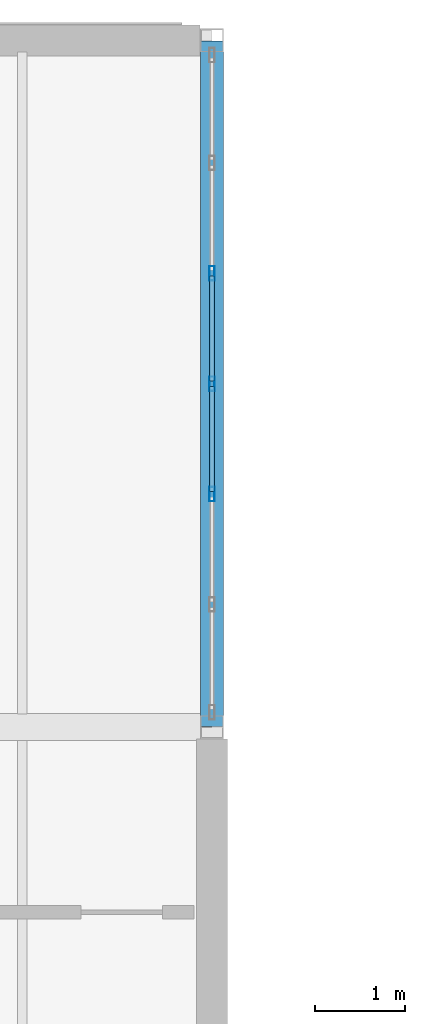
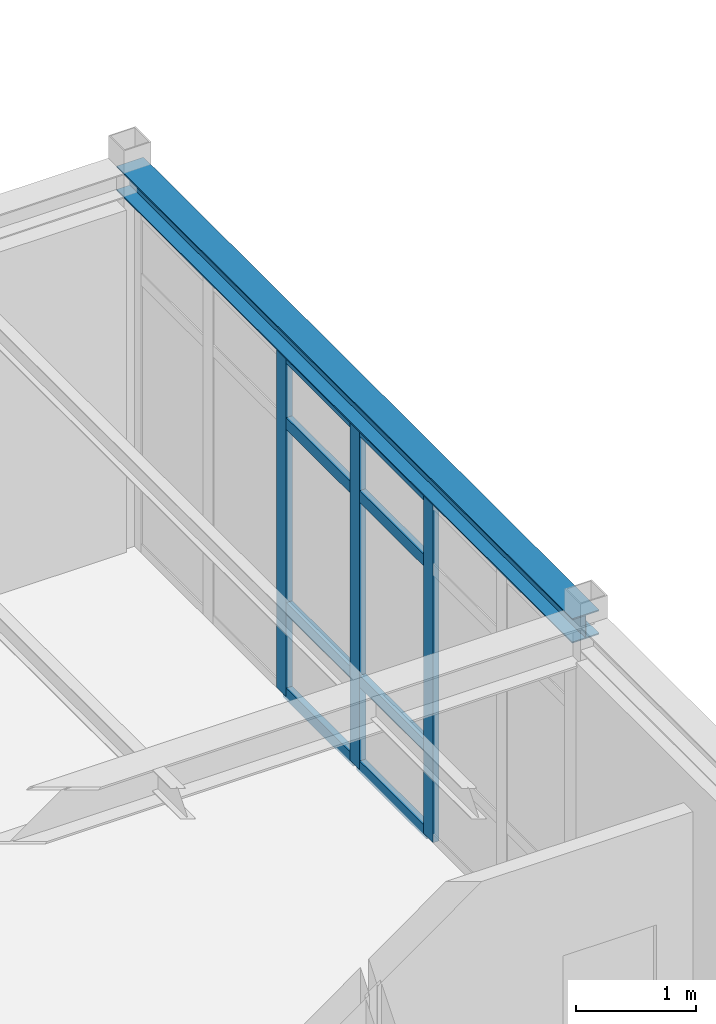
# One storey, part 106 of 189: 11 members, 1 beam, 1 element without a shape of its own.
"""IFC4 building model written with IfcOpenShell, lengths in metres."""

import ifcopenshell
import ifcopenshell.guid

model = None  # the IFC model being written
_history = None  # IfcOwnerHistory: only IFC2X3 demands one
_inside = {}  # id of a spatial element -> (the spatial element, [elements in it])
_under = {}  # id of a project, library or spatial element -> (it, [spatial elements below it])
_declared = {}  # id of a project -> (the project, [libraries it declares])
_typed = {}  # id of a type object -> (the type object, [elements of that type])
_made_of = {}  # id of a material, layer set ... -> (it, [elements and type objects made of it])


def new_model(schema):
    """Start an empty IFC model of exactly this schema.

    Asked for "IFC4X3", IfcOpenShell would pick the latest addendum, in which some entities
    have other attributes; the version numbers below select the first issue.
    IFC2X3 requires an IfcOwnerHistory on every rooted entity: one is made here for all.
    """
    global model, _history
    if schema == "IFC4X3":
        model = ifcopenshell.file(schema_version=(4, 3, 0, 0))
    else:
        model = ifcopenshell.file(schema=schema)
    _inside.clear()
    _under.clear()
    _declared.clear()
    _typed.clear()
    _made_of.clear()
    _history = None
    if model.schema == "IFC2X3":
        org = make("IfcOrganization", Name="unknown")
        user = make(
            "IfcPersonAndOrganization",
            ThePerson=make("IfcPerson", FamilyName="unknown"),
            TheOrganization=org,
        )
        app = make(
            "IfcApplication",
            ApplicationDeveloper=org,
            Version="unknown",
            ApplicationFullName="unknown",
            ApplicationIdentifier="unknown",
        )
        _history = make(
            "IfcOwnerHistory",
            OwningUser=user,
            OwningApplication=app,
            ChangeAction="ADDED",
            CreationDate=0,
        )
    return model


def make(cls, **values):
    """One entity of the class cls with the attributes given. An attribute that is None is left unset."""
    return model.create_entity(
        cls, **{name: value for name, value in values.items() if value is not None}
    )


def rooted(cls, **values):
    """An entity with a GlobalId (a new one), such as an element, a storey or a relation."""
    return make(cls, GlobalId=ifcopenshell.guid.new(), OwnerHistory=_history, **values)


def si_unit(unit_type, name, prefix=None):
    """IfcSIUnit, for example si_unit("LENGTHUNIT", "METRE", prefix="MILLI")."""
    return make("IfcSIUnit", UnitType=unit_type, Prefix=prefix, Name=name)


def assignment(units):
    """IfcUnitAssignment: the units of a project."""
    return None if units is None else make("IfcUnitAssignment", Units=units)


def point(xyz):
    """IfcCartesianPoint."""
    return None if xyz is None else make("IfcCartesianPoint", Coordinates=xyz)


def direction(xyz):
    """IfcDirection."""
    return None if xyz is None else make("IfcDirection", DirectionRatios=xyz)


def frame(location, z_axis=None, x_axis=None):
    """IfcAxis2Placement3D, a coordinate frame: its origin and axes. An axis left out is left unset."""
    return make(
        "IfcAxis2Placement3D",
        Location=point(location),
        Axis=direction(z_axis),
        RefDirection=direction(x_axis),
    )


def frame_2d(location, x_axis=None):
    """IfcAxis2Placement2D, a coordinate frame in the plane: its origin and x axis."""
    return make(
        "IfcAxis2Placement2D", Location=point(location), RefDirection=direction(x_axis)
    )


def origin():
    """The frame at (0, 0, 0) with its axes left unset."""
    return frame((0.0, 0.0, 0.0))


def origin_2d():
    """The frame at (0, 0) in the plane with its x axis left unset."""
    return frame_2d((0.0, 0.0))


def place(relative_to, where):
    """IfcLocalPlacement: puts the frame where relative to a parent placement (None: the world)."""
    return make(
        "IfcLocalPlacement", PlacementRelTo=relative_to, RelativePlacement=where
    )


def context(
    kind, dimensions, precision=None, world=None, true_north=None, identifier=None
):
    """IfcGeometricRepresentationContext, for example the 3D "Model" context."""
    return make(
        "IfcGeometricRepresentationContext",
        ContextIdentifier=identifier,
        ContextType=kind,
        CoordinateSpaceDimension=dimensions,
        Precision=precision,
        WorldCoordinateSystem=world,
        TrueNorth=true_north,
    )


def subcontext(parent, identifier, kind, view, scale=None):
    """IfcGeometricRepresentationSubContext, for example "Body" below "Model"."""
    return make(
        "IfcGeometricRepresentationSubContext",
        ContextIdentifier=identifier,
        ContextType=kind,
        ParentContext=parent,
        TargetScale=scale,
        TargetView=view,
    )


def project(units=None, contexts=None):
    """IfcProject with its units and contexts."""
    return rooted(
        "IfcProject",
        Name="project",
        RepresentationContexts=contexts,
        UnitsInContext=assignment(units),
    )


def spatial(cls, under=None, at=None, **own):
    """A site, building, storey or space (cls), placed at a placement, below another one or the project."""
    s = rooted(cls, ObjectPlacement=at, **own)
    if under is not None:
        _under.setdefault(under.id(), (under, []))[1].append(s)
    return s


def profile(cls, at=None, kind="AREA", **sizes):
    """A parametric profile (cls). Its sizes go by their IFC names, for example OverallWidth=200.0."""
    return make(cls, ProfileType=kind, Position=at, **sizes)


def hollow_rectangle(**sizes):
    """IfcRectangleHollowProfileDef."""
    return profile("IfcRectangleHollowProfileDef", **sizes)


def i_section(**sizes):
    """IfcIShapeProfileDef."""
    return profile("IfcIShapeProfileDef", **sizes)


def extrude(swept, where, along, depth):
    """IfcExtrudedAreaSolid: the profile swept, set in the frame where, extruded along a direction by depth."""
    return make(
        "IfcExtrudedAreaSolid",
        SweptArea=swept,
        Position=where,
        ExtrudedDirection=direction(along),
        Depth=depth,
    )


def shape(context_of_items, identifier, shape_type, items):
    """IfcShapeRepresentation: the items that make up one representation, for example the "Body"."""
    return make(
        "IfcShapeRepresentation",
        ContextOfItems=context_of_items,
        RepresentationIdentifier=identifier,
        RepresentationType=shape_type,
        Items=items,
    )


def material(Name=None, Category=None):
    """IfcMaterial."""
    return make("IfcMaterial", Name=Name, Category=Category)


def layer(
    of_material, thickness, ventilated=None, Name=None, Category=None, Priority=None
):
    """IfcMaterialLayer: one layer of a wall or slab, of a material (None: an air gap)."""
    return make(
        "IfcMaterialLayer",
        Material=of_material,
        LayerThickness=thickness,
        IsVentilated=ventilated,
        Name=Name,
        Category=Category,
        Priority=Priority,
    )


def layer_set(layers, Name=None):
    """IfcMaterialLayerSet."""
    return make("IfcMaterialLayerSet", MaterialLayers=layers, LayerSetName=Name)


def material_profile(
    of_material, cross_section, Name=None, Category=None, Priority=None
):
    """IfcMaterialProfile: a cross section and its material."""
    return make(
        "IfcMaterialProfile",
        Name=Name,
        Material=of_material,
        Profile=cross_section,
        Priority=Priority,
        Category=Category,
    )


def profile_set(profiles, Name=None, composite=None):
    """IfcMaterialProfileSet."""
    return make(
        "IfcMaterialProfileSet",
        Name=Name,
        MaterialProfiles=profiles,
        CompositeProfile=composite,
    )


def made_of(thing, what):
    """Note that an element or type object is made of a material, layer set ...; save() writes the relation."""
    if what is not None:
        _made_of.setdefault(what.id(), (what, []))[1].append(thing)
    return thing


def type_object(cls, material=None, **own):
    """A type object (cls), such as IfcWallType, which elements share."""
    return made_of(rooted(cls, **own), material)


def element(
    cls,
    number,
    at=None,
    inside=None,
    cuts=None,
    type_object=None,
    material=None,
    context=None,
    identifier="Body",
    shape_type=None,
    held_by="IfcProductDefinitionShape",
    body=None,
    shapes=None,
    **own,
):
    """One element of the class cls, such as IfcWall. Its Tag is "e" and its number.

    at: its placement. inside: the storey or other place that contains it. cuts: it is an
    opening in that element (IfcRelVoidsElement). A single representation is given by context,
    identifier, shape_type and body (its items); several are given by shapes. held_by: the class
    of the entity that holds the representations. save() writes the other relations.
    """
    e = rooted(cls, Tag="e%d" % number, ObjectPlacement=at, **own)
    if body is not None:
        shapes = [shape(context, identifier, shape_type, body)]
    if shapes is not None:
        e.Representation = make(held_by, Representations=shapes)
    if inside is not None:
        _inside.setdefault(inside.id(), (inside, []))[1].append(e)
    if cuts is not None:
        rooted(
            "IfcRelVoidsElement", RelatingBuildingElement=cuts, RelatedOpeningElement=e
        )
    if type_object is not None:
        _typed.setdefault(type_object.id(), (type_object, []))[1].append(e)
    return made_of(e, material)


def aggregate(whole, parts):
    """IfcRelAggregates: a whole, such as a stair, and the parts it consists of."""
    return rooted("IfcRelAggregates", RelatingObject=whole, RelatedObjects=parts)


def save(model, path):
    """Write the relations noted so far, then the file.

    IfcRelAggregates (storeys below a building ...), IfcRelContainedInSpatialStructure (elements
    in a storey), IfcRelDefinesByType, IfcRelAssociatesMaterial and IfcRelDeclares: one each for
    every whole, place, type object, material and project.
    """
    for whole, parts in _under.values():
        aggregate(whole, parts)
    for where, things in _inside.values():
        rooted(
            "IfcRelContainedInSpatialStructure",
            RelatedElements=things,
            RelatingStructure=where,
        )
    for kind, things in _typed.values():
        rooted("IfcRelDefinesByType", RelatedObjects=things, RelatingType=kind)
    for what, things in _made_of.values():
        rooted("IfcRelAssociatesMaterial", RelatedObjects=things, RelatingMaterial=what)
    for by, libraries in _declared.values():
        rooted("IfcRelDeclares", RelatingContext=by, RelatedDefinitions=libraries)
    model.write(path)


model = new_model("IFC4")

# Units and contexts
model_context = context("Model", 3, precision=1e-05, world=origin(), true_north=direction((0.0, 1.0)))
body_context = subcontext(model_context, "Body", "Model", "MODEL_VIEW")
ifc_project = project(units=[si_unit("LENGTHUNIT", "METRE"), si_unit("AREAUNIT", "SQUARE_METRE"), si_unit("VOLUMEUNIT", "CUBIC_METRE"), si_unit("PLANEANGLEUNIT", "RADIAN"), si_unit("MASSUNIT", "GRAM", prefix="KILO")], contexts=[model_context])

# Site, building, storey
site_placement = place(None, origin())
site = spatial("IfcSite", under=ifc_project, at=site_placement, CompositionType="ELEMENT")
building_placement = place(site_placement, origin())
building = spatial("IfcBuilding", under=site, at=building_placement, Name="Montecoro Central Library", CompositionType="ELEMENT")
storey_placement = place(building_placement, frame((0.0, 0.0, 9.179931640625)))
storey = spatial("IfcBuildingStorey", under=building, at=storey_placement, Name="L02", CompositionType="ELEMENT", Elevation=9.179931640625)

# Beam
ifc_material_1 = material(Name="Steel S355", Category="steel")
ifc_material_profile_1 = material_profile(ifc_material_1, i_section(OverallWidth=0.260009765625, OverallDepth=0.25, WebThickness=0.007568359375, FlangeThickness=0.012451171875, at=origin_2d()), Name="HEA 260")
ifc_profile_set_1 = profile_set([ifc_material_profile_1], Name="Steel S355")
beam_type = type_object("IfcBeamType", Name="BM-SP-HEA260", PredefinedType="SPANDREL", material=ifc_profile_set_1)
beam_placement = place(storey_placement, frame((116.800048828125, 111.405029296875, 3.699951171875), z_axis=(0.0, 1.0, 0.0), x_axis=(-1.0, 0.0, 0.0)))
element("IfcBeam", 1, at=beam_placement, inside=storey, type_object=beam_type, Name="V2-L02-BY-15-QR", PredefinedType="SPANDREL", context=body_context, shape_type="SweptSolid", body=[
    extrude(i_section(OverallWidth=0.260009765625, OverallDepth=0.25, WebThickness=0.007568359375, FlangeThickness=0.012451171875, at=origin_2d()), origin(), (0.0, 0.0, 1.0), 7.590087890625),
])

# Curtain wall, members
ifc_material_2 = material(Name="Bronze-anodised aluminium and low-E glazing", Category="aluminium")
ifc_layer = layer(ifc_material_2, 0.159912109375)
ifc_layer_set = layer_set([ifc_layer], Name="Bronze-anodised aluminium and low-E glazing")
curtain_wall_type = type_object("IfcCurtainWallType", Name="CWT-015", PredefinedType="NOTDEFINED", material=ifc_layer_set)
curtain_wall_placement = place(storey_placement, origin())
curtain_wall = element("IfcCurtainWall", 2, at=curtain_wall_placement, inside=storey, type_object=curtain_wall_type, Name="V2-L02-CW-E4", PredefinedType="NOTDEFINED")
ifc_material_3 = material(Name="Bronze-anodised aluminium", Category="aluminium")
ifc_material_profile_2 = material_profile(ifc_material_3, hollow_rectangle(XDim=0.06005859375, YDim=0.159912109375, WallThickness=0.00390625, at=origin_2d()), Name="CWM 160x60x4.0")
ifc_profile_set_2 = profile_set([ifc_material_profile_2], Name="Bronze-anodised aluminium")
member_type_1 = type_object("IfcMemberType", Name="CWM-BRZ-60", PredefinedType="MULLION", material=ifc_profile_set_2)
member_1_placement = place(storey_placement, frame((116.800048828125, 113.977783203125, 0.0), z_axis=(0.0, 0.0, 1.0), x_axis=(-1.0, 0.0, 0.0)))
member_1 = element("IfcMember", 3, at=member_1_placement, type_object=member_type_1, Name="CW-015 mullion 3", PredefinedType="MULLION", context=body_context, shape_type="SweptSolid", body=[
    extrude(hollow_rectangle(XDim=0.06005859375, YDim=0.159912109375, WallThickness=0.00390625, at=origin_2d()), origin(), (0.0, 0.0, 1.0), 3.47998046875),
])
member_2_placement = place(storey_placement, frame((116.800048828125, 115.199951171875, 0.0), z_axis=(0.0, 0.0, 1.0), x_axis=(-1.0, 0.0, 0.0)))
member_2 = element("IfcMember", 4, at=member_2_placement, type_object=member_type_1, Name="CW-015 mullion 4", PredefinedType="MULLION", context=body_context, shape_type="SweptSolid", body=[
    extrude(hollow_rectangle(XDim=0.06005859375, YDim=0.159912109375, WallThickness=0.00390625, at=origin_2d()), origin(), (0.0, 0.0, 1.0), 3.47998046875),
])
member_3_placement = place(storey_placement, frame((116.800048828125, 116.42236328125, 0.0), z_axis=(0.0, 0.0, 1.0), x_axis=(-1.0, 0.0, 0.0)))
member_3 = element("IfcMember", 5, at=member_3_placement, type_object=member_type_1, Name="CW-015 mullion 5", PredefinedType="MULLION", context=body_context, shape_type="SweptSolid", body=[
    extrude(hollow_rectangle(XDim=0.06005859375, YDim=0.159912109375, WallThickness=0.00390625, at=origin_2d()), origin(), (0.0, 0.0, 1.0), 3.47998046875),
])
ifc_material_profile_3 = material_profile(ifc_material_3, hollow_rectangle(XDim=0.06005859375, YDim=0.1201171875, WallThickness=0.00390625, at=origin_2d()), Name="CWT 120x60x4.0")
ifc_profile_set_3 = profile_set([ifc_material_profile_3], Name="Bronze-anodised aluminium")
member_type_2 = type_object("IfcMemberType", Name="CWT-BRZ-60", PredefinedType="USERDEFINED", material=ifc_profile_set_3)
member_4_placement = place(storey_placement, frame((116.800048828125, 114.007568359375, 0.030029296875), z_axis=(0.0, 1.0, 0.0), x_axis=(-1.0, 0.0, 0.0)))
member_4 = element("IfcMember", 6, at=member_4_placement, type_object=member_type_2, Name="CW-015 transom 3.1", ObjectType="TRANSOM", PredefinedType="USERDEFINED", context=body_context, shape_type="SweptSolid", body=[
    extrude(hollow_rectangle(XDim=0.06005859375, YDim=0.1201171875, WallThickness=0.00390625, at=origin_2d()), origin(), (0.0, 0.0, 1.0), 1.162353515625),
])
member_5_placement = place(storey_placement, frame((116.800048828125, 114.007568359375, 0.900146484375), z_axis=(0.0, 1.0, 0.0), x_axis=(-1.0, 0.0, 0.0)))
member_5 = element("IfcMember", 7, at=member_5_placement, type_object=member_type_2, Name="CW-015 transom 3.2", ObjectType="TRANSOM", PredefinedType="USERDEFINED", context=body_context, shape_type="SweptSolid", body=[
    extrude(hollow_rectangle(XDim=0.06005859375, YDim=0.1201171875, WallThickness=0.00390625, at=origin_2d()), origin(), (0.0, 0.0, 1.0), 1.162353515625),
])
member_6_placement = place(storey_placement, frame((116.800048828125, 114.007568359375, 2.780029296875), z_axis=(0.0, 1.0, 0.0), x_axis=(-1.0, 0.0, 0.0)))
member_6 = element("IfcMember", 8, at=member_6_placement, type_object=member_type_2, Name="CW-015 transom 3.3", ObjectType="TRANSOM", PredefinedType="USERDEFINED", context=body_context, shape_type="SweptSolid", body=[
    extrude(hollow_rectangle(XDim=0.06005859375, YDim=0.1201171875, WallThickness=0.00390625, at=origin_2d()), origin(), (0.0, 0.0, 1.0), 1.162353515625),
])
member_7_placement = place(storey_placement, frame((116.800048828125, 114.007568359375, 3.449951171875), z_axis=(0.0, 1.0, 0.0), x_axis=(-1.0, 0.0, 0.0)))
member_7 = element("IfcMember", 9, at=member_7_placement, type_object=member_type_2, Name="CW-015 transom 3.4", ObjectType="TRANSOM", PredefinedType="USERDEFINED", context=body_context, shape_type="SweptSolid", body=[
    extrude(hollow_rectangle(XDim=0.06005859375, YDim=0.1201171875, WallThickness=0.00390625, at=origin_2d()), origin(), (0.0, 0.0, 1.0), 1.162353515625),
])
member_8_placement = place(storey_placement, frame((116.800048828125, 115.22998046875, 0.030029296875), z_axis=(0.0, 1.0, 0.0), x_axis=(-1.0, 0.0, 0.0)))
member_8 = element("IfcMember", 10, at=member_8_placement, type_object=member_type_2, Name="CW-015 transom 4.1", ObjectType="TRANSOM", PredefinedType="USERDEFINED", context=body_context, shape_type="SweptSolid", body=[
    extrude(hollow_rectangle(XDim=0.06005859375, YDim=0.1201171875, WallThickness=0.00390625, at=origin_2d()), origin(), (0.0, 0.0, 1.0), 1.162353515625),
])
member_9_placement = place(storey_placement, frame((116.800048828125, 115.22998046875, 0.900146484375), z_axis=(0.0, 1.0, 0.0), x_axis=(-1.0, 0.0, 0.0)))
member_9 = element("IfcMember", 11, at=member_9_placement, type_object=member_type_2, Name="CW-015 transom 4.2", ObjectType="TRANSOM", PredefinedType="USERDEFINED", context=body_context, shape_type="SweptSolid", body=[
    extrude(hollow_rectangle(XDim=0.06005859375, YDim=0.1201171875, WallThickness=0.00390625, at=origin_2d()), origin(), (0.0, 0.0, 1.0), 1.162353515625),
])
member_10_placement = place(storey_placement, frame((116.800048828125, 115.22998046875, 2.780029296875), z_axis=(0.0, 1.0, 0.0), x_axis=(-1.0, 0.0, 0.0)))
member_10 = element("IfcMember", 12, at=member_10_placement, type_object=member_type_2, Name="CW-015 transom 4.3", ObjectType="TRANSOM", PredefinedType="USERDEFINED", context=body_context, shape_type="SweptSolid", body=[
    extrude(hollow_rectangle(XDim=0.06005859375, YDim=0.1201171875, WallThickness=0.00390625, at=origin_2d()), origin(), (0.0, 0.0, 1.0), 1.162353515625),
])
member_11_placement = place(storey_placement, frame((116.800048828125, 115.22998046875, 3.449951171875), z_axis=(0.0, 1.0, 0.0), x_axis=(-1.0, 0.0, 0.0)))
member_11 = element("IfcMember", 13, at=member_11_placement, type_object=member_type_2, Name="CW-015 transom 4.4", ObjectType="TRANSOM", PredefinedType="USERDEFINED", context=body_context, shape_type="SweptSolid", body=[
    extrude(hollow_rectangle(XDim=0.06005859375, YDim=0.1201171875, WallThickness=0.00390625, at=origin_2d()), origin(), (0.0, 0.0, 1.0), 1.162353515625),
])
aggregate(curtain_wall, [member_1, member_2, member_3, member_4, member_5, member_6, member_7, member_8, member_9, member_10, member_11])

save(model, "model.ifc")
